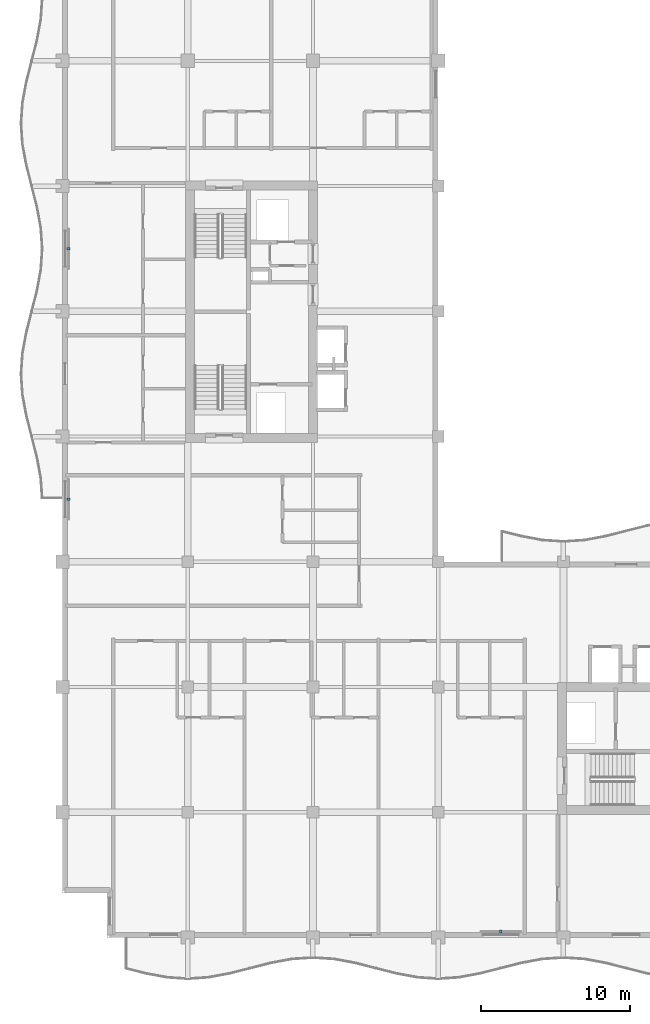
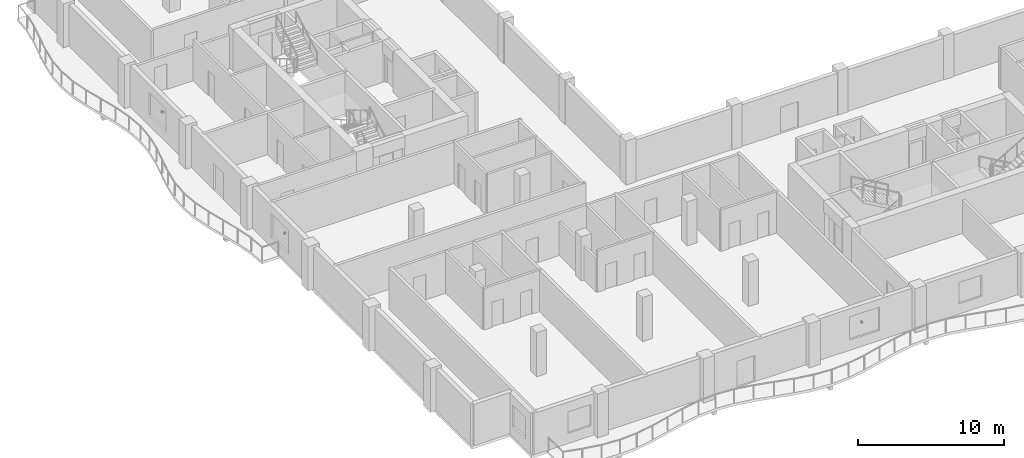
# One storey, part 12 of 17: 3 discrete accessories.
"""IFC4 building model written with IfcOpenShell, lengths in metres."""

from ifc_helpers import new_model, si_unit, direction, frame, origin, origin_2d, place, context, subcontext, project, spatial, rectangle, extrude, material, type_object, element, save


model = new_model("IFC4")

# Units and contexts
model_context = context("Model", 3, precision=1e-05, world=origin(), true_north=direction((0.0, 1.0)))
body_context = subcontext(model_context, "Body", "Model", "MODEL_VIEW")
ifc_project = project(units=[si_unit("LENGTHUNIT", "METRE"), si_unit("AREAUNIT", "SQUARE_METRE"), si_unit("VOLUMEUNIT", "CUBIC_METRE"), si_unit("PLANEANGLEUNIT", "RADIAN"), si_unit("MASSUNIT", "GRAM", prefix="KILO")], contexts=[model_context])

# Site, building, storey
site_placement = place(None, origin())
site = spatial("IfcSite", under=ifc_project, at=site_placement, CompositionType="ELEMENT")
building_placement = place(site_placement, origin())
building = spatial("IfcBuilding", under=site, at=building_placement, Name="Koriwani Terraces Tower", CompositionType="ELEMENT")
storey_placement = place(building_placement, frame((0.0, 0.0, 237.89990234375)))
storey = spatial("IfcBuildingStorey", under=building, at=storey_placement, Name="L58", CompositionType="ELEMENT", Elevation=237.89990234375)

# Discrete accessories
ifc_material = material(Name="Steel ASTM A572 Grade 50", Category="steel")
discrete_accessory_type = type_object("IfcDiscreteAccessoryType", Name="BAGUETTE_STANDOFF_BRACKET", PredefinedType="BRACKET", material=ifc_material)
for number, where, z_axis, x_axis, name in (
    (1, (8.7900390625, 37.800048828125, 1.64501953125), (0.0, 0.0, 1.0), (0.0, 1.0, 0.0), "L58 Terracotta Baguette Bracket (W-9)"),
    (2, (8.7900390625, 54.60009765625, 1.64501953125), (0.0, 0.0, 1.0), (0.0, 1.0, 0.0), "L58 Terracotta Baguette Bracket (W-15)"),
    (3, (37.800048828125, 8.7900390625, 1.64501953125), (0.0, 0.0, 1.0), (-1.0, 0.0, 0.0), "L58 Terracotta Baguette Bracket (S-9)"),
):
    element("IfcDiscreteAccessory", number, at=place(storey_placement, frame(where, z_axis=z_axis, x_axis=x_axis)), inside=storey, type_object=discrete_accessory_type, Name=name, PredefinedType="BRACKET", context=body_context, shape_type="SweptSolid", body=[
        extrude(rectangle(XDim=0.159912109375, YDim=0.199951171875, at=origin_2d()), origin(), (0.0, 0.0, 1.0), 0.179931640625),
    ])

save(model, "model.ifc")
